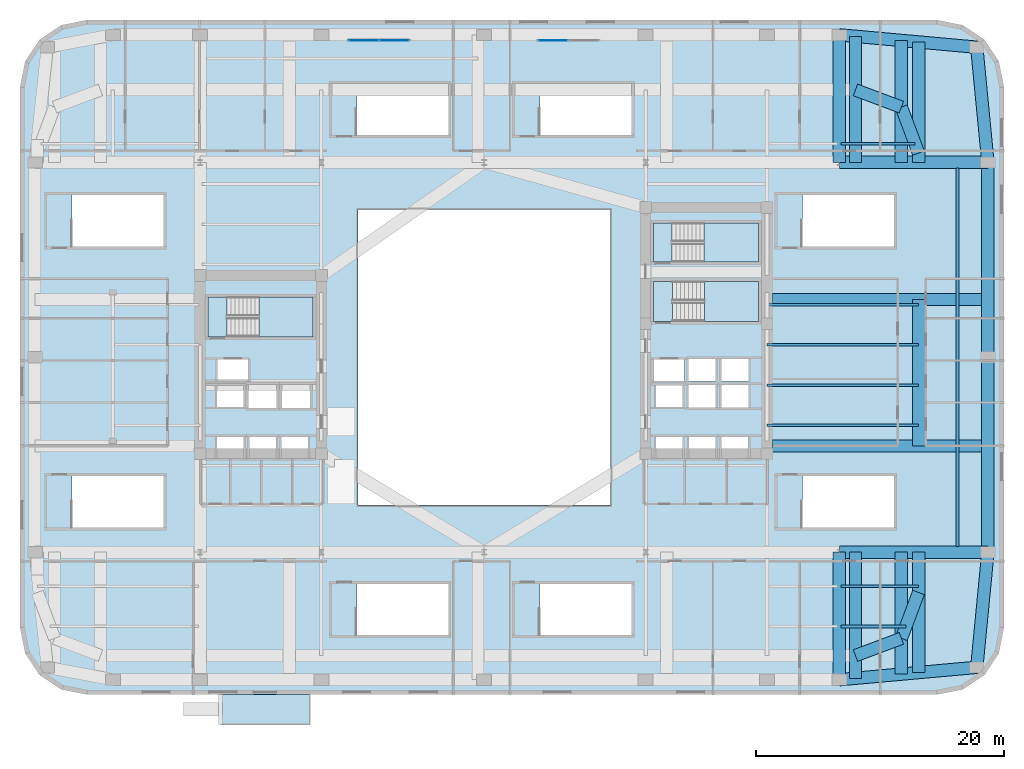
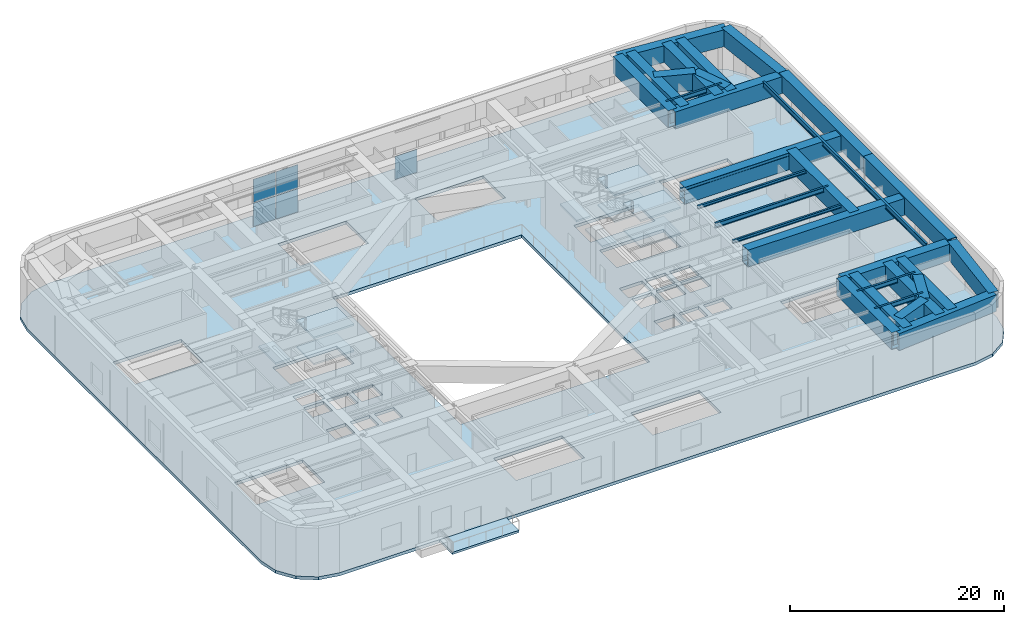
# One storey, part 5 of 16: 31 beams, 11 slabs, 5 plates, 5 elements without a shape of their own.
"""IFC4 building model written with IfcOpenShell, lengths in metres."""

from ifc_helpers import new_model, si_unit, direction, frame, origin, origin_2d, place, context, subcontext, project, spatial, polyline, rectangle, hollow_rectangle, i_section, outline, extrude, material, layer, layer_set, material_profile, profile_set, type_object, element, aggregate, save


model = new_model("IFC4")

# Units and contexts
model_context = context("Model", 3, precision=1e-05, world=origin(), true_north=direction((0.0, 1.0)))
body_context = subcontext(model_context, "Body", "Model", "MODEL_VIEW")
ifc_project = project(units=[si_unit("LENGTHUNIT", "METRE"), si_unit("AREAUNIT", "SQUARE_METRE"), si_unit("VOLUMEUNIT", "CUBIC_METRE"), si_unit("PLANEANGLEUNIT", "RADIAN"), si_unit("MASSUNIT", "GRAM", prefix="KILO")], contexts=[model_context])

# Site, building, storey
site_placement = place(None, origin())
site = spatial("IfcSite", under=ifc_project, at=site_placement, CompositionType="ELEMENT")
building_placement = place(site_placement, origin())
building = spatial("IfcBuilding", under=site, at=building_placement, Name="Kolvaren Arena Tower", CompositionType="ELEMENT")
storey_placement = place(building_placement, frame((0.0, 0.0, 28.0)))
storey = spatial("IfcBuildingStorey", under=building, at=storey_placement, Name="L05", CompositionType="ELEMENT", Elevation=28.0)

# Beams
ifc_material_1 = material(Name="Steel CSA G40.21 350W", Category="steel")
ifc_material_profile_1 = material_profile(ifc_material_1, i_section(OverallWidth=0.2119140625, OverallDepth=0.54296875, WebThickness=0.01318359375, FlangeThickness=0.0244140625, FilletRadius=0.013916015625, at=origin_2d()), Name="W530x150")
ifc_profile_set_1 = profile_set([ifc_material_profile_1], Name="Steel CSA G40.21 350W")
beam_type_1 = type_object("IfcBeamType", Name="BEAM-F1", PredefinedType="BEAM", material=ifc_profile_set_1)
beam_1_placement = place(storey_placement, frame((66.345947265625, 5.5, 5.278564453125), z_axis=(1.0, 0.0, 0.0), x_axis=(0.0, 1.0, 0.0)))
element("IfcBeam", 1, at=beam_1_placement, inside=storey, type_object=beam_type_1, Name="Composite Floor Beam (L05)", PredefinedType="BEAM", context=body_context, shape_type="SweptSolid", body=[
    extrude(i_section(OverallWidth=0.2119140625, OverallDepth=0.54296875, WebThickness=0.01318359375, FlangeThickness=0.0244140625, FilletRadius=0.013916015625, at=origin_2d()), origin(), (0.0, 0.0, 1.0), 5.22265625),
])
beam_2_placement = place(storey_placement, frame((66.345947265625, 8.75, 5.278564453125), z_axis=(1.0, 0.0, 0.0), x_axis=(0.0, 1.0, 0.0)))
element("IfcBeam", 2, at=beam_2_placement, inside=storey, type_object=beam_type_1, Name="Composite Floor Beam (L05)", PredefinedType="BEAM", context=body_context, shape_type="SweptSolid", body=[
    extrude(i_section(OverallWidth=0.2119140625, OverallDepth=0.54296875, WebThickness=0.01318359375, FlangeThickness=0.0244140625, FilletRadius=0.013916015625, at=origin_2d()), origin(), (0.0, 0.0, 1.0), 6.254150390625),
])
beam_3_placement = place(storey_placement, frame((60.3701171875, 25.0, 5.278564453125), z_axis=(1.0, 0.0, 0.0), x_axis=(0.0, 1.0, 0.0)))
element("IfcBeam", 3, at=beam_3_placement, inside=storey, type_object=beam_type_1, Name="Composite Floor Beam (L05)", PredefinedType="BEAM", context=body_context, shape_type="SweptSolid", body=[
    extrude(i_section(OverallWidth=0.2119140625, OverallDepth=0.54296875, WebThickness=0.01318359375, FlangeThickness=0.0244140625, FilletRadius=0.013916015625, at=origin_2d()), origin(), (0.0, 0.0, 1.0), 12.22998046875),
])
beam_4_placement = place(storey_placement, frame((66.345947265625, 44.5, 5.278564453125), z_axis=(1.0, 0.0, 0.0), x_axis=(0.0, 1.0, 0.0)))
element("IfcBeam", 4, at=beam_4_placement, inside=storey, type_object=beam_type_1, Name="Composite Floor Beam (L05)", PredefinedType="BEAM", context=body_context, shape_type="SweptSolid", body=[
    extrude(i_section(OverallWidth=0.2119140625, OverallDepth=0.54296875, WebThickness=0.01318359375, FlangeThickness=0.0244140625, FilletRadius=0.013916015625, at=origin_2d()), origin(), (0.0, 0.0, 1.0), 5.97265625),
])
ifc_material_profile_2 = material_profile(ifc_material_1, i_section(OverallWidth=0.22802734375, OverallDepth=0.615966796875, WebThickness=0.013916015625, FlangeThickness=0.02490234375, FilletRadius=0.014892578125, at=origin_2d()), Name="W610x174")
ifc_profile_set_2 = profile_set([ifc_material_profile_2], Name="Steel CSA G40.21 350W")
beam_type_2 = type_object("IfcBeamType", Name="GIRD-T3", PredefinedType="BEAM", material=ifc_profile_set_2)
beam_5_placement = place(storey_placement, frame((75.75, 11.969970703125, 5.409912109375), z_axis=(0.0, 1.0, 0.0), x_axis=(-1.0, 0.0, 0.0)))
element("IfcBeam", 5, at=beam_5_placement, inside=storey, type_object=beam_type_2, Name="Podium Low-Roof Support Beam 1 (L05)", PredefinedType="BEAM", context=body_context, shape_type="SweptSolid", body=[
    extrude(i_section(OverallWidth=0.22802734375, OverallDepth=0.615966796875, WebThickness=0.013916015625, FlangeThickness=0.02490234375, FilletRadius=0.014892578125, at=origin_2d()), origin(), (0.0, 0.0, 1.0), 30.56005859375),
])
ifc_material_profile_3 = material_profile(ifc_material_1, i_section(OverallWidth=0.202880859375, OverallDepth=0.346923828125, WebThickness=0.0078125, FlangeThickness=0.013427734375, FilletRadius=0.010986328125, at=origin_2d()), Name="W360x64")
ifc_profile_set_3 = profile_set([ifc_material_profile_3], Name="Steel CSA G40.21 350W")
beam_type_3 = type_object("IfcBeamType", Name="JOIST-01", PredefinedType="JOIST", material=ifc_profile_set_3)
for number, where, z_axis, x_axis, name in (
    (6, (60.3701171875, 21.75, 5.37646484375), (1.0, 0.0, 0.0), (0.0, 1.0, 0.0), "Composite Floor Joist (L05)"),
    (7, (60.3701171875, 28.25, 5.37646484375), (1.0, 0.0, 0.0), (0.0, 1.0, 0.0), "Composite Floor Joist (L05)"),
    (8, (60.3701171875, 31.5, 5.37646484375), (1.0, 0.0, 0.0), (0.0, 1.0, 0.0), "Composite Floor Joist (L05)"),
):
    element("IfcBeam", number, at=place(storey_placement, frame(where, z_axis=z_axis, x_axis=x_axis)), inside=storey, type_object=beam_type_3, Name=name, PredefinedType="JOIST", context=body_context, shape_type="SweptSolid", body=[
        extrude(i_section(OverallWidth=0.202880859375, OverallDepth=0.346923828125, WebThickness=0.0078125, FlangeThickness=0.013427734375, FilletRadius=0.010986328125, at=origin_2d()), origin(), (0.0, 0.0, 1.0), 12.22998046875),
    ])
ifc_material_2 = material(Name="Steel CSA G40.21 350WT", Category="steel")
ifc_material_profile_4 = material_profile(ifc_material_2, hollow_rectangle(XDim=1.0, YDim=1.919921875, WallThickness=0.044921875, at=origin_2d()), Name="BOX 1000x1920x45")
ifc_profile_set_4 = profile_set([ifc_material_profile_4], Name="Steel CSA G40.21 350WT")
beam_type_4 = type_object("IfcBeamType", Name="TG-MEGA", PredefinedType="USERDEFINED", material=ifc_profile_set_4)
beam_6_placement = place(storey_placement, frame((66.199951171875, 1.199951171875, 4.590087890625), z_axis=(0.995966494892, 0.089725921855, 0.0), x_axis=(-0.089725921855, 0.995966494892, 0.0)))
element("IfcBeam", 9, at=beam_6_placement, inside=storey, type_object=beam_type_4, Name="Podium Perimeter Transfer Girder 08", ObjectType="TRANSFER GIRDER", PredefinedType="USERDEFINED", context=body_context, shape_type="SweptSolid", body=[
    extrude(hollow_rectangle(XDim=1.0, YDim=1.919921875, WallThickness=0.044921875, at=origin_2d()), origin(), (0.0, 0.0, 1.0), 11.14501953125),
])
beam_7_placement = place(storey_placement, frame((77.300048828125, 2.199951171875, 4.590087890625), z_axis=(0.09631333899, 0.995351064064, 0.0), x_axis=(-0.995351064064, 0.09631333899, 0.0)))
element("IfcBeam", 10, at=beam_7_placement, inside=storey, type_object=beam_type_4, Name="Podium Perimeter Transfer Girder 09", ObjectType="TRANSFER GIRDER", PredefinedType="USERDEFINED", context=body_context, shape_type="SweptSolid", body=[
    extrude(hollow_rectangle(XDim=1.0, YDim=1.919921875, WallThickness=0.044921875, at=origin_2d()), origin(), (0.0, 0.0, 1.0), 9.343505859375),
])
for number, where, z_axis, x_axis, name in (
    (11, (78.199951171875, 11.5, 4.760009765625), (0.0, 1.0, 0.0), (-1.0, 0.0, 0.0), "Podium Perimeter Transfer Girder 10"),
    (12, (78.199951171875, 27.25, 4.760009765625), (0.0, 1.0, 0.0), (-1.0, 0.0, 0.0), "Podium Perimeter Transfer Girder 11"),
):
    element("IfcBeam", number, at=place(storey_placement, frame(where, z_axis=z_axis, x_axis=x_axis)), inside=storey, type_object=beam_type_4, Name=name, ObjectType="TRANSFER GIRDER", PredefinedType="USERDEFINED", context=body_context, shape_type="SweptSolid", body=[
        extrude(hollow_rectangle(XDim=1.0, YDim=1.919921875, WallThickness=0.044921875, at=origin_2d()), origin(), (0.0, 0.0, 1.0), 15.75),
    ])
beam_8_placement = place(storey_placement, frame((78.199951171875, 43.0, 4.590087890625), z_axis=(-0.09631333899, 0.995351064064, 0.0), x_axis=(-0.995351064064, -0.09631333899, 0.0)))
element("IfcBeam", 13, at=beam_8_placement, inside=storey, type_object=beam_type_4, Name="Podium Perimeter Transfer Girder 12", ObjectType="TRANSFER GIRDER", PredefinedType="USERDEFINED", context=body_context, shape_type="SweptSolid", body=[
    extrude(hollow_rectangle(XDim=1.0, YDim=1.919921875, WallThickness=0.044921875, at=origin_2d()), origin(), (0.0, 0.0, 1.0), 9.343505859375),
])
beam_9_placement = place(storey_placement, frame((77.300048828125, 52.300048828125, 4.590087890625), z_axis=(-0.995966494892, 0.089725921855, 0.0), x_axis=(-0.089725921855, -0.995966494892, 0.0)))
element("IfcBeam", 14, at=beam_9_placement, inside=storey, type_object=beam_type_4, Name="Podium Perimeter Transfer Girder 13", ObjectType="TRANSFER GIRDER", PredefinedType="USERDEFINED", context=body_context, shape_type="SweptSolid", body=[
    extrude(hollow_rectangle(XDim=1.0, YDim=1.919921875, WallThickness=0.044921875, at=origin_2d()), origin(), (0.0, 0.0, 1.0), 11.14501953125),
])
for number, where, z_axis, x_axis, name in (
    (15, (66.199951171875, 11.5, 4.590087890625), (1.0, 0.0, 0.0), (0.0, 1.0, 0.0), "Interior Podium Transfer Girder 06"),
    (16, (66.199951171875, 43.0, 4.590087890625), (1.0, 0.0, 0.0), (0.0, 1.0, 0.0), "Interior Podium Transfer Girder 12"),
):
    element("IfcBeam", number, at=place(storey_placement, frame(where, z_axis=z_axis, x_axis=x_axis)), inside=storey, type_object=beam_type_4, Name=name, ObjectType="TRANSFER GIRDER", PredefinedType="USERDEFINED", context=body_context, shape_type="SweptSolid", body=[
        extrude(hollow_rectangle(XDim=1.0, YDim=1.919921875, WallThickness=0.044921875, at=origin_2d()), origin(), (0.0, 0.0, 1.0), 12.0),
    ])
for number, where, z_axis, x_axis, name in (
    (17, (66.199951171875, 1.199951171875, 4.590087890625), (0.0, 1.0, 0.0), (-1.0, 0.0, 0.0), "Interior Podium Transfer Girder 17"),
    (18, (66.199951171875, 43.0, 4.590087890625), (0.0, 1.0, 0.0), (-1.0, 0.0, 0.0), "Interior Podium Transfer Girder 18"),
):
    element("IfcBeam", number, at=place(storey_placement, frame(where, z_axis=z_axis, x_axis=x_axis)), inside=storey, type_object=beam_type_4, Name=name, ObjectType="TRANSFER GIRDER", PredefinedType="USERDEFINED", context=body_context, shape_type="SweptSolid", body=[
        extrude(hollow_rectangle(XDim=1.0, YDim=1.919921875, WallThickness=0.044921875, at=origin_2d()), origin(), (0.0, 0.0, 1.0), 10.300048828125),
    ])
beam_10_placement = place(storey_placement, frame((67.5, 1.317138671875, 4.590087890625), z_axis=(0.0, 1.0, 0.0), x_axis=(-1.0, 0.0, 0.0)))
element("IfcBeam", 19, at=beam_10_placement, inside=storey, type_object=beam_type_4, Name="Podium-to-Tower Transfer Girder 05", ObjectType="TRANSFER GIRDER", PredefinedType="USERDEFINED", context=body_context, shape_type="SweptSolid", body=[
    extrude(hollow_rectangle(XDim=1.0, YDim=1.919921875, WallThickness=0.044921875, at=origin_2d()), origin(), (0.0, 0.0, 1.0), 10.182861328125),
])
beam_11_placement = place(storey_placement, frame((71.208740234375, 1.651123046875, 4.590087890625), z_axis=(0.0, 1.0, 0.0), x_axis=(-1.0, 0.0, 0.0)))
element("IfcBeam", 20, at=beam_11_placement, inside=storey, type_object=beam_type_4, Name="Podium-to-Tower Transfer Girder 06", ObjectType="TRANSFER GIRDER", PredefinedType="USERDEFINED", context=body_context, shape_type="SweptSolid", body=[
    extrude(hollow_rectangle(XDim=1.0, YDim=1.919921875, WallThickness=0.044921875, at=origin_2d()), origin(), (0.0, 0.0, 1.0), 9.848876953125),
])
beam_12_placement = place(storey_placement, frame((72.60009765625, 1.776611328125, 4.590087890625), z_axis=(0.0, 1.0, 0.0), x_axis=(-1.0, 0.0, 0.0)))
element("IfcBeam", 21, at=beam_12_placement, inside=storey, type_object=beam_type_4, Name="Podium-to-Tower Transfer Girder 07", ObjectType="TRANSFER GIRDER", PredefinedType="USERDEFINED", context=body_context, shape_type="SweptSolid", body=[
    extrude(hollow_rectangle(XDim=1.0, YDim=1.919921875, WallThickness=0.044921875, at=origin_2d()), origin(), (0.0, 0.0, 1.0), 9.723388671875),
])
for number, where, z_axis, x_axis, name in (
    (22, (60.800048828125, 20.083251953125, 4.590087890625), (1.0, 0.0, 0.0), (0.0, 1.0, 0.0), "Podium-to-Tower Transfer Girder 08"),
    (23, (60.800048828125, 31.916748046875, 4.590087890625), (1.0, 0.0, 0.0), (0.0, 1.0, 0.0), "Podium-to-Tower Transfer Girder 09"),
):
    element("IfcBeam", number, at=place(storey_placement, frame(where, z_axis=z_axis, x_axis=x_axis)), inside=storey, type_object=beam_type_4, Name=name, ObjectType="TRANSFER GIRDER", PredefinedType="USERDEFINED", context=body_context, shape_type="SweptSolid", body=[
        extrude(hollow_rectangle(XDim=1.0, YDim=1.919921875, WallThickness=0.044921875, at=origin_2d()), origin(), (0.0, 0.0, 1.0), 17.39990234375),
    ])
beam_13_placement = place(storey_placement, frame((72.60009765625, 43.0, 4.590087890625), z_axis=(0.0, 1.0, 0.0), x_axis=(-1.0, 0.0, 0.0)))
element("IfcBeam", 24, at=beam_13_placement, inside=storey, type_object=beam_type_4, Name="Podium-to-Tower Transfer Girder 10", ObjectType="TRANSFER GIRDER", PredefinedType="USERDEFINED", context=body_context, shape_type="SweptSolid", body=[
    extrude(hollow_rectangle(XDim=1.0, YDim=1.919921875, WallThickness=0.044921875, at=origin_2d()), origin(), (0.0, 0.0, 1.0), 9.723388671875),
])
beam_14_placement = place(storey_placement, frame((71.208740234375, 43.0, 4.590087890625), z_axis=(0.0, 1.0, 0.0), x_axis=(-1.0, 0.0, 0.0)))
element("IfcBeam", 25, at=beam_14_placement, inside=storey, type_object=beam_type_4, Name="Podium-to-Tower Transfer Girder 11", ObjectType="TRANSFER GIRDER", PredefinedType="USERDEFINED", context=body_context, shape_type="SweptSolid", body=[
    extrude(hollow_rectangle(XDim=1.0, YDim=1.919921875, WallThickness=0.044921875, at=origin_2d()), origin(), (0.0, 0.0, 1.0), 9.848876953125),
])
beam_15_placement = place(storey_placement, frame((67.5, 43.0, 4.590087890625), z_axis=(0.0, 1.0, 0.0), x_axis=(-1.0, 0.0, 0.0)))
element("IfcBeam", 26, at=beam_15_placement, inside=storey, type_object=beam_type_4, Name="Podium-to-Tower Transfer Girder 12", ObjectType="TRANSFER GIRDER", PredefinedType="USERDEFINED", context=body_context, shape_type="SweptSolid", body=[
    extrude(hollow_rectangle(XDim=1.0, YDim=1.919921875, WallThickness=0.044921875, at=origin_2d()), origin(), (0.0, 0.0, 1.0), 10.182861328125),
])
for number, where, z_axis, x_axis, name in (
    (27, (67.5, 3.14990234375, 4.590087890625), (0.93628104365, 0.351251771955, 0.0), (-0.351251771955, 0.93628104365, 0.0), "Podium-to-Tower Transfer Ring Girder 05"),
    (28, (71.208740234375, 4.541259765625, 4.590087890625), (0.351251771955, 0.93628104365, 0.0), (-0.93628104365, 0.351251771955, 0.0), "Podium-to-Tower Transfer Ring Girder 06"),
):
    element("IfcBeam", number, at=place(storey_placement, frame(where, z_axis=z_axis, x_axis=x_axis)), inside=storey, type_object=beam_type_4, Name=name, ObjectType="TRANSFER GIRDER", PredefinedType="USERDEFINED", context=body_context, shape_type="SweptSolid", body=[
        extrude(hollow_rectangle(XDim=1.0, YDim=1.919921875, WallThickness=0.044921875, at=origin_2d()), origin(), (0.0, 0.0, 1.0), 3.961181640625),
    ])
beam_16_placement = place(storey_placement, frame((72.60009765625, 20.083251953125, 4.590087890625), z_axis=(0.0, 1.0, 0.0), x_axis=(-1.0, 0.0, 0.0)))
element("IfcBeam", 29, at=beam_16_placement, inside=storey, type_object=beam_type_4, Name="Podium-to-Tower Transfer Ring Girder 08", ObjectType="TRANSFER GIRDER", PredefinedType="USERDEFINED", context=body_context, shape_type="SweptSolid", body=[
    extrude(hollow_rectangle(XDim=1.0, YDim=1.919921875, WallThickness=0.044921875, at=origin_2d()), origin(), (0.0, 0.0, 1.0), 11.83349609375),
])
for number, where, z_axis, x_axis, name in (
    (30, (72.60009765625, 43.75, 4.590087890625), (-0.351251771955, 0.93628104365, 0.0), (-0.93628104365, -0.351251771955, 0.0), "Podium-to-Tower Transfer Ring Girder 10"),
    (31, (71.208740234375, 47.458740234375, 4.590087890625), (-0.93628104365, 0.351251771955, 0.0), (-0.351251771955, -0.93628104365, 0.0), "Podium-to-Tower Transfer Ring Girder 11"),
):
    element("IfcBeam", number, at=place(storey_placement, frame(where, z_axis=z_axis, x_axis=x_axis)), inside=storey, type_object=beam_type_4, Name=name, ObjectType="TRANSFER GIRDER", PredefinedType="USERDEFINED", context=body_context, shape_type="SweptSolid", body=[
        extrude(hollow_rectangle(XDim=1.0, YDim=1.919921875, WallThickness=0.044921875, at=origin_2d()), origin(), (0.0, 0.0, 1.0), 3.961181640625),
    ])

# Curtain wall, plates
ifc_material_3 = material(Name="Anodised aluminium unitised curtain wall", Category="aluminium")
curtain_wall_type_1 = type_object("IfcCurtainWallType", Name="CW-SYS-06", PredefinedType="USERDEFINED", material=ifc_material_3)
curtain_wall_1_placement = place(storey_placement, origin())
curtain_wall_1 = element("IfcCurtainWall", 32, at=curtain_wall_1_placement, inside=storey, type_object=curtain_wall_type_1, Name="Wintergarden Glazed Curtain Wall (L05)", ObjectType="UNITISED CURTAIN WALL", PredefinedType="USERDEFINED")
ifc_material_4 = material(Name="Triple-silver low-E insulated glazing unit", Category="glass")
ifc_layer_1 = layer(ifc_material_4, 0.0439453125)
ifc_layer_set_1 = layer_set([ifc_layer_1], Name="Triple-silver low-E insulated glazing unit")
plate_type_1 = type_object("IfcPlateType", Name="CWP-VIS1", PredefinedType="CURTAIN_PANEL", material=ifc_layer_set_1)
plate_1_placement = place(storey_placement, frame((27.77001953125, 52.85009765625, 0.080078125), z_axis=(0.0, 0.0, 1.0), x_axis=(1.0, 0.0, 0.0)))
plate_1 = element("IfcPlate", 33, at=plate_1_placement, type_object=plate_type_1, Name="CW6 panel 1.1", PredefinedType="CURTAIN_PANEL", context=body_context, shape_type="SweptSolid", body=[
    extrude(rectangle(XDim=2.3798828125, YDim=0.0439453125, at=origin_2d()), origin(), (0.0, 0.0, 1.0), 2.655029296875),
])
plate_2_placement = place(storey_placement, frame((27.77001953125, 52.85009765625, 2.81494140625), z_axis=(0.0, 0.0, 1.0), x_axis=(1.0, 0.0, 0.0)))
plate_2 = element("IfcPlate", 34, at=plate_2_placement, type_object=plate_type_1, Name="CW6 panel 1.2", PredefinedType="CURTAIN_PANEL", context=body_context, shape_type="SweptSolid", body=[
    extrude(rectangle(XDim=2.3798828125, YDim=0.0439453125, at=origin_2d()), origin(), (0.0, 0.0, 1.0), 2.655029296875),
])
plate_3_placement = place(storey_placement, frame((30.22998046875, 52.85009765625, 0.080078125), z_axis=(0.0, 0.0, 1.0), x_axis=(1.0, 0.0, 0.0)))
plate_3 = element("IfcPlate", 35, at=plate_3_placement, type_object=plate_type_1, Name="CW6 panel 2.1", PredefinedType="CURTAIN_PANEL", context=body_context, shape_type="SweptSolid", body=[
    extrude(rectangle(XDim=2.3798828125, YDim=0.0439453125, at=origin_2d()), origin(), (0.0, 0.0, 1.0), 2.655029296875),
])
plate_4_placement = place(storey_placement, frame((30.22998046875, 52.85009765625, 2.81494140625), z_axis=(0.0, 0.0, 1.0), x_axis=(1.0, 0.0, 0.0)))
plate_4 = element("IfcPlate", 36, at=plate_4_placement, type_object=plate_type_1, Name="CW6 panel 2.2", PredefinedType="CURTAIN_PANEL", context=body_context, shape_type="SweptSolid", body=[
    extrude(rectangle(XDim=2.3798828125, YDim=0.0439453125, at=origin_2d()), origin(), (0.0, 0.0, 1.0), 2.655029296875),
])
aggregate(curtain_wall_1, [plate_1, plate_2, plate_3, plate_4])

# Curtain wall, plate
curtain_wall_type_2 = type_object("IfcCurtainWallType", Name="CW-SYS-07", PredefinedType="USERDEFINED", material=ifc_material_3)
curtain_wall_2_placement = place(storey_placement, origin())
curtain_wall_2 = element("IfcCurtainWall", 37, at=curtain_wall_2_placement, inside=storey, type_object=curtain_wall_type_2, Name="Crown Clerestory Curtain Wall (L05)", ObjectType="UNITISED CURTAIN WALL", PredefinedType="USERDEFINED")
ifc_material_5 = material(Name="Laminated acoustic low-E glazing unit", Category="glass")
ifc_layer_2 = layer(ifc_material_5, 0.052001953125)
ifc_layer_set_2 = layer_set([ifc_layer_2], Name="Laminated acoustic low-E glazing unit")
plate_type_2 = type_object("IfcPlateType", Name="CWP-VIS2", PredefinedType="CURTAIN_PANEL", material=ifc_layer_set_2)
plate_5_placement = place(storey_placement, frame((43.070068359375, 52.85009765625, 0.10009765625), z_axis=(0.0, 0.0, 1.0), x_axis=(1.0, 0.0, 0.0)))
plate_5 = element("IfcPlate", 38, at=plate_5_placement, type_object=plate_type_2, Name="CW7 panel 1.1", PredefinedType="CURTAIN_PANEL", context=body_context, shape_type="SweptSolid", body=[
    extrude(rectangle(XDim=2.3798828125, YDim=0.052001953125, at=origin_2d()), origin(), (0.0, 0.0, 1.0), 2.625),
])
aggregate(curtain_wall_2, [plate_5])

# Slab
ifc_material_6 = material(Name="Concrete 50 MPa", Category="concrete")
ifc_layer_3 = layer(ifc_material_6, 0.35009765625)
ifc_layer_set_3 = layer_set([ifc_layer_3], Name="Concrete 50 MPa")
slab_type_1 = type_object("IfcSlabType", Name="SLAB-ARENA", PredefinedType="FLOOR", material=ifc_layer_set_3)
slab_1_placement = place(storey_placement, frame((0.0, 0.0, -0.35009765625)))
element("IfcSlab", 39, at=slab_1_placement, inside=storey, type_object=slab_type_1, Name="L05 Primary Structural Slab", PredefinedType="FLOOR", context=body_context, shape_type="SweptSolid", body=[
    extrude(outline(polyline([(74.10009765625, 0.0), (76.16650390625, 0.4111328125), (77.91845703125, 1.58154296875), (79.0888671875, 3.33349609375), (79.5, 5.39990234375), (79.5, 49.10009765625), (79.0888671875, 51.16650390625), (77.91845703125, 52.91845703125), (76.16650390625, 54.0888671875), (74.10009765625, 54.5), (5.39990234375, 54.5), (3.33349609375, 54.0888671875), (1.58154296875, 52.91845703125), (0.4111328125, 51.16650390625), (0.0, 49.10009765625), (0.0, 5.39990234375), (0.4111328125, 3.33349609375), (1.58154296875, 1.58154296875), (3.33349609375, 0.4111328125), (5.39990234375, 0.0), (74.10009765625, 0.0)]), holes=[polyline([(27.215087890625, 4.800048828125), (27.215087890625, 8.949951171875), (34.60009765625, 8.949951171875), (34.60009765625, 4.800048828125), (27.215087890625, 4.800048828125)]), polyline([(42.014892578125, 4.800048828125), (42.014892578125, 8.949951171875), (49.39990234375, 8.949951171875), (49.39990234375, 4.800048828125), (42.014892578125, 4.800048828125)]), polyline([(4.215087890625, 17.64990234375), (11.60009765625, 17.64990234375), (11.60009765625, 13.5), (4.215087890625, 13.5), (4.215087890625, 17.64990234375)]), polyline([(63.215087890625, 17.64990234375), (70.60009765625, 17.64990234375), (70.60009765625, 13.5), (63.215087890625, 13.5), (63.215087890625, 17.64990234375)]), polyline([(27.300048828125, 39.199951171875), (47.699951171875, 39.199951171875), (47.699951171875, 15.300048828125), (27.300048828125, 15.300048828125), (27.300048828125, 39.199951171875)]), polyline([(15.93505859375, 20.81494140625), (18.06494140625, 20.81494140625), (18.06494140625, 19.0849609375), (15.93505859375, 19.0849609375), (15.93505859375, 20.81494140625)]), polyline([(18.534912109375, 20.81494140625), (20.6650390625, 20.81494140625), (20.6650390625, 19.0849609375), (18.534912109375, 19.0849609375), (18.534912109375, 20.81494140625)]), polyline([(21.135009765625, 20.81494140625), (23.264892578125, 20.81494140625), (23.264892578125, 19.0849609375), (21.135009765625, 19.0849609375), (21.135009765625, 20.81494140625)]), polyline([(51.39501953125, 20.81494140625), (53.52490234375, 20.81494140625), (53.52490234375, 19.0849609375), (51.39501953125, 19.0849609375), (51.39501953125, 20.81494140625)]), polyline([(54.054931640625, 20.81494140625), (56.18505859375, 20.81494140625), (56.18505859375, 19.0849609375), (54.054931640625, 19.0849609375), (54.054931640625, 20.81494140625)]), polyline([(56.695068359375, 20.81494140625), (58.824951171875, 20.81494140625), (58.824951171875, 19.0849609375), (56.695068359375, 19.0849609375), (56.695068359375, 20.81494140625)]), polyline([(18.4599609375, 25.06494140625), (20.739990234375, 25.06494140625), (20.739990234375, 23.135009765625), (18.4599609375, 23.135009765625), (18.4599609375, 25.06494140625)]), polyline([(21.159912109375, 23.135009765625), (21.159912109375, 25.06494140625), (23.43994140625, 25.06494140625), (23.43994140625, 23.135009765625), (21.159912109375, 23.135009765625)]), polyline([(54.030029296875, 25.014892578125), (56.2099609375, 25.014892578125), (56.2099609375, 23.18505859375), (54.030029296875, 23.18505859375), (54.030029296875, 25.014892578125)]), polyline([(56.669921875, 23.18505859375), (56.669921875, 25.014892578125), (58.85009765625, 25.014892578125), (58.85009765625, 23.18505859375), (56.669921875, 23.18505859375)]), polyline([(15.93505859375, 24.965087890625), (18.06494140625, 24.965087890625), (18.06494140625, 23.235107421875), (15.93505859375, 23.235107421875), (15.93505859375, 24.965087890625)]), polyline([(51.39501953125, 24.965087890625), (53.52490234375, 24.965087890625), (53.52490234375, 23.235107421875), (51.39501953125, 23.235107421875), (51.39501953125, 24.965087890625)]), polyline([(54.030029296875, 27.114990234375), (56.2099609375, 27.114990234375), (56.2099609375, 25.284912109375), (54.030029296875, 25.284912109375), (54.030029296875, 27.114990234375)]), polyline([(56.669921875, 27.114990234375), (58.85009765625, 27.114990234375), (58.85009765625, 25.284912109375), (56.669921875, 25.284912109375), (56.669921875, 27.114990234375)]), polyline([(15.9599609375, 27.06494140625), (18.43994140625, 27.06494140625), (18.43994140625, 25.3349609375), (15.9599609375, 25.3349609375), (15.9599609375, 27.06494140625)]), polyline([(51.219970703125, 27.06494140625), (53.699951171875, 27.06494140625), (53.699951171875, 25.3349609375), (51.219970703125, 25.3349609375), (51.219970703125, 27.06494140625)]), polyline([(16.735107421875, 32.1298828125), (23.659912109375, 32.1298828125), (23.659912109375, 28.89990234375), (16.735107421875, 28.89990234375), (16.735107421875, 32.1298828125)]), polyline([(52.735107421875, 33.3798828125), (59.659912109375, 33.3798828125), (59.659912109375, 30.14990234375), (52.735107421875, 30.14990234375), (52.735107421875, 33.3798828125)]), polyline([(52.695068359375, 38.10009765625), (59.659912109375, 38.10009765625), (59.659912109375, 34.949951171875), (52.695068359375, 34.949951171875), (52.695068359375, 38.10009765625)]), polyline([(4.215087890625, 40.35009765625), (11.60009765625, 40.35009765625), (11.60009765625, 36.199951171875), (4.215087890625, 36.199951171875), (4.215087890625, 40.35009765625)]), polyline([(63.215087890625, 40.35009765625), (70.60009765625, 40.35009765625), (70.60009765625, 36.199951171875), (63.215087890625, 36.199951171875), (63.215087890625, 40.35009765625)]), polyline([(27.215087890625, 49.35009765625), (34.60009765625, 49.35009765625), (34.60009765625, 45.199951171875), (27.215087890625, 45.199951171875), (27.215087890625, 49.35009765625)]), polyline([(42.014892578125, 49.35009765625), (49.39990234375, 49.35009765625), (49.39990234375, 45.199951171875), (42.014892578125, 45.199951171875), (42.014892578125, 49.35009765625)])]), origin(), (0.0, 0.0, 1.0), 0.35009765625),
])

# Stair, slabs
ifc_material_7 = material(Name="Concrete 45 MPa", Category="concrete")
stair_type_1 = type_object("IfcStairType", Name="STAIR-CORE-165", PredefinedType="HALF_TURN_STAIR", material=ifc_material_7)
stair_1_placement = place(storey_placement, origin())
stair_1 = element("IfcStair", 40, at=stair_1_placement, inside=storey, type_object=stair_type_1, Name="L05 ST-W1", PredefinedType="HALF_TURN_STAIR")
ifc_layer_4 = layer(ifc_material_7, 0.199951171875)
ifc_layer_set_4 = layer_set([ifc_layer_4], Name="Concrete 45 MPa")
slab_type_2 = type_object("IfcSlabType", Name="SLAB-LAND", PredefinedType="LANDING", material=ifc_layer_set_4)
slab_2_placement = place(storey_placement, frame((0.0, 0.0, 1.300048828125)))
slab_2 = element("IfcSlab", 41, at=slab_2_placement, type_object=slab_type_2, Name="ST-W1 landing 1", PredefinedType="LANDING", context=body_context, shape_type="SweptSolid", body=[
    extrude(outline(polyline([(19.31201171875, 28.89990234375), (23.659912109375, 28.89990234375), (23.659912109375, 32.1298828125), (19.31201171875, 32.1298828125), (19.31201171875, 28.89990234375)])), origin(), (0.0, 0.0, 1.0), 0.199951171875),
])
slab_3_placement = place(storey_placement, frame((0.0, 0.0, 2.800048828125)))
slab_3 = element("IfcSlab", 42, at=slab_3_placement, type_object=slab_type_2, Name="ST-W1 landing 2", PredefinedType="LANDING", context=body_context, shape_type="SweptSolid", body=[
    extrude(outline(polyline([(15.179931640625, 28.89990234375), (16.719970703125, 28.89990234375), (16.719970703125, 32.1298828125), (15.179931640625, 32.1298828125), (15.179931640625, 28.89990234375)])), origin(), (0.0, 0.0, 1.0), 0.199951171875),
])
slab_4_placement = place(storey_placement, frame((0.0, 0.0, 4.300048828125)))
slab_4 = element("IfcSlab", 43, at=slab_4_placement, type_object=slab_type_2, Name="ST-W1 landing 3", PredefinedType="LANDING", context=body_context, shape_type="SweptSolid", body=[
    extrude(outline(polyline([(19.31201171875, 28.89990234375), (23.659912109375, 28.89990234375), (23.659912109375, 32.1298828125), (19.31201171875, 32.1298828125), (19.31201171875, 28.89990234375)])), origin(), (0.0, 0.0, 1.0), 0.199951171875),
])
aggregate(stair_1, [slab_2, slab_3, slab_4])

stair_2_placement = place(storey_placement, origin())
stair_2 = element("IfcStair", 44, at=stair_2_placement, inside=storey, type_object=stair_type_1, Name="L05 ST-E1", PredefinedType="HALF_TURN_STAIR")
slab_5_placement = place(storey_placement, frame((0.0, 0.0, 1.300048828125)))
slab_5 = element("IfcSlab", 45, at=slab_5_placement, type_object=slab_type_2, Name="ST-E1 landing 1", PredefinedType="LANDING", context=body_context, shape_type="SweptSolid", body=[
    extrude(outline(polyline([(55.31201171875, 30.14990234375), (59.659912109375, 30.14990234375), (59.659912109375, 33.3798828125), (55.31201171875, 33.3798828125), (55.31201171875, 30.14990234375)])), origin(), (0.0, 0.0, 1.0), 0.199951171875),
])
slab_6_placement = place(storey_placement, frame((0.0, 0.0, 2.800048828125)))
slab_6 = element("IfcSlab", 46, at=slab_6_placement, type_object=slab_type_2, Name="ST-E1 landing 2", PredefinedType="LANDING", context=body_context, shape_type="SweptSolid", body=[
    extrude(outline(polyline([(51.179931640625, 30.14990234375), (52.719970703125, 30.14990234375), (52.719970703125, 33.3798828125), (51.179931640625, 33.3798828125), (51.179931640625, 30.14990234375)])), origin(), (0.0, 0.0, 1.0), 0.199951171875),
])
slab_7_placement = place(storey_placement, frame((0.0, 0.0, 4.300048828125)))
slab_7 = element("IfcSlab", 47, at=slab_7_placement, type_object=slab_type_2, Name="ST-E1 landing 3", PredefinedType="LANDING", context=body_context, shape_type="SweptSolid", body=[
    extrude(outline(polyline([(55.31201171875, 30.14990234375), (59.659912109375, 30.14990234375), (59.659912109375, 33.3798828125), (55.31201171875, 33.3798828125), (55.31201171875, 30.14990234375)])), origin(), (0.0, 0.0, 1.0), 0.199951171875),
])
aggregate(stair_2, [slab_5, slab_6, slab_7])

stair_type_2 = type_object("IfcStairType", Name="STAIR-CORE-150", PredefinedType="HALF_TURN_STAIR", material=ifc_material_7)
stair_3_placement = place(storey_placement, origin())
stair_3 = element("IfcStair", 48, at=stair_3_placement, inside=storey, type_object=stair_type_2, Name="L05 ST-E2", PredefinedType="HALF_TURN_STAIR")
slab_8_placement = place(storey_placement, frame((0.0, 0.0, 1.300048828125)))
slab_8 = element("IfcSlab", 49, at=slab_8_placement, type_object=slab_type_2, Name="ST-E2 landing 1", PredefinedType="LANDING", context=body_context, shape_type="SweptSolid", body=[
    extrude(outline(polyline([(55.27197265625, 34.949951171875), (59.659912109375, 34.949951171875), (59.659912109375, 38.10009765625), (55.27197265625, 38.10009765625), (55.27197265625, 34.949951171875)])), origin(), (0.0, 0.0, 1.0), 0.199951171875),
])
slab_9_placement = place(storey_placement, frame((0.0, 0.0, 2.800048828125)))
slab_9 = element("IfcSlab", 50, at=slab_9_placement, type_object=slab_type_2, Name="ST-E2 landing 2", PredefinedType="LANDING", context=body_context, shape_type="SweptSolid", body=[
    extrude(outline(polyline([(51.179931640625, 34.949951171875), (52.679931640625, 34.949951171875), (52.679931640625, 38.10009765625), (51.179931640625, 38.10009765625), (51.179931640625, 34.949951171875)])), origin(), (0.0, 0.0, 1.0), 0.199951171875),
])
slab_10_placement = place(storey_placement, frame((0.0, 0.0, 4.300048828125)))
slab_10 = element("IfcSlab", 51, at=slab_10_placement, type_object=slab_type_2, Name="ST-E2 landing 3", PredefinedType="LANDING", context=body_context, shape_type="SweptSolid", body=[
    extrude(outline(polyline([(55.27197265625, 34.949951171875), (59.659912109375, 34.949951171875), (59.659912109375, 38.10009765625), (55.27197265625, 38.10009765625), (55.27197265625, 34.949951171875)])), origin(), (0.0, 0.0, 1.0), 0.199951171875),
])
aggregate(stair_3, [slab_8, slab_9, slab_10])

# Slab
ifc_layer_5 = layer(ifc_material_7, 0.2548828125)
ifc_layer_set_5 = layer_set([ifc_layer_5], Name="Concrete 45 MPa")
slab_type_3 = type_object("IfcSlabType", Name="SLAB-TERR", PredefinedType="FLOOR", material=ifc_layer_set_5)
slab_11_placement = place(storey_placement, frame((0.0, 0.0, -0.25)))
element("IfcSlab", 52, at=slab_11_placement, inside=storey, type_object=slab_type_3, Name="L05 Planted Setback Roof Terrace Slab", PredefinedType="FLOOR", context=body_context, shape_type="SweptSolid", body=[
    extrude(outline(polyline([(16.199951171875, -2.39990234375), (23.39990234375, -2.39990234375), (23.39990234375, 0.0), (16.199951171875, 0.0), (16.199951171875, -2.39990234375)])), origin(), (0.0, 0.0, 1.0), 0.25),
])

save(model, "model.ifc")
